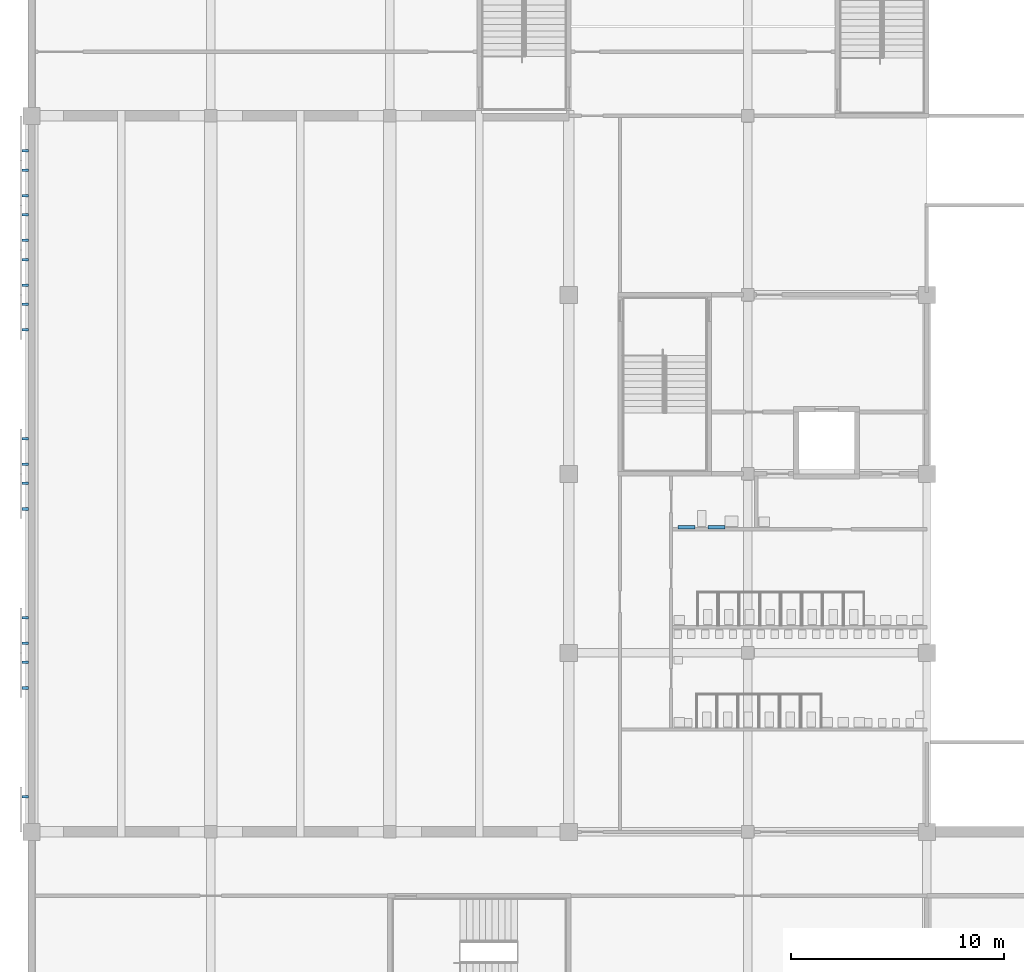
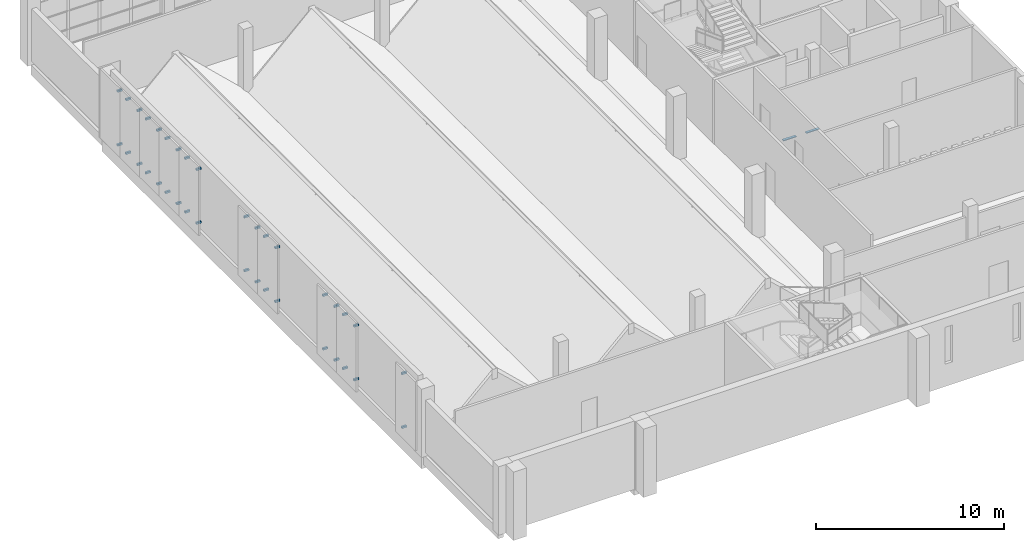
# One storey, part 31 of 56: 38 discrete accessories.
"""IFC4 building model written with IfcOpenShell, lengths in metres."""

from ifc_helpers import new_model, si_unit, direction, frame, origin, origin_2d, place, context, subcontext, project, spatial, rectangle, extrude, material, type_object, element, save


model = new_model("IFC4")

# Units and contexts
model_context = context("Model", 3, precision=1e-05, world=origin(), true_north=direction((0.0, 1.0)))
body_context = subcontext(model_context, "Body", "Model", "MODEL_VIEW")
ifc_project = project(units=[si_unit("LENGTHUNIT", "METRE"), si_unit("AREAUNIT", "SQUARE_METRE"), si_unit("VOLUMEUNIT", "CUBIC_METRE"), si_unit("PLANEANGLEUNIT", "RADIAN"), si_unit("MASSUNIT", "GRAM", prefix="KILO")], contexts=[model_context])

# Site, building, storey
site_placement = place(None, origin())
site = spatial("IfcSite", under=ifc_project, at=site_placement, CompositionType="ELEMENT")
building_placement = place(site_placement, origin())
building = spatial("IfcBuilding", under=site, at=building_placement, Name="Rulbaag Community and Learning Centre", CompositionType="ELEMENT")
storey_placement = place(building_placement, frame((0.0, 0.0, 9.89990234375)))
storey = spatial("IfcBuildingStorey", under=building, at=storey_placement, Name="L02", CompositionType="ELEMENT", Elevation=9.89990234375)

# Discrete accessories
ifc_material_1 = material(Name="Steel E350", Category="steel")
discrete_accessory_type_1 = type_object("IfcDiscreteAccessoryType", Name="BR-JS", PredefinedType="BRACKET", material=ifc_material_1)
for number, where, z_axis, x_axis, name in (
    (1, (-0.300048828125, 10.050048828125, 0.43994140625), (0.0, 0.0, 1.0), (1.0, 0.0, 0.0), "Screen bracket"),
    (2, (-0.300048828125, 10.050048828125, 3.93994140625), (0.0, 0.0, 1.0), (1.0, 0.0, 0.0), "Screen bracket"),
    (3, (-0.300048828125, 15.14990234375, 0.43994140625), (0.0, 0.0, 1.0), (1.0, 0.0, 0.0), "Screen bracket"),
    (4, (-0.300048828125, 15.14990234375, 3.93994140625), (0.0, 0.0, 1.0), (1.0, 0.0, 0.0), "Screen bracket"),
    (5, (-0.300048828125, 16.35009765625, 0.43994140625), (0.0, 0.0, 1.0), (1.0, 0.0, 0.0), "Screen bracket"),
    (6, (-0.300048828125, 16.35009765625, 3.93994140625), (0.0, 0.0, 1.0), (1.0, 0.0, 0.0), "Screen bracket"),
    (7, (-0.300048828125, 17.25, 0.43994140625), (0.0, 0.0, 1.0), (1.0, 0.0, 0.0), "Screen bracket"),
    (8, (-0.300048828125, 17.25, 3.93994140625), (0.0, 0.0, 1.0), (1.0, 0.0, 0.0), "Screen bracket"),
    (9, (-0.300048828125, 18.449951171875, 0.43994140625), (0.0, 0.0, 1.0), (1.0, 0.0, 0.0), "Screen bracket"),
    (10, (-0.300048828125, 18.449951171875, 3.93994140625), (0.0, 0.0, 1.0), (1.0, 0.0, 0.0), "Screen bracket"),
    (11, (-0.300048828125, 23.550048828125, 0.43994140625), (0.0, 0.0, 1.0), (1.0, 0.0, 0.0), "Screen bracket"),
    (12, (-0.300048828125, 23.550048828125, 3.93994140625), (0.0, 0.0, 1.0), (1.0, 0.0, 0.0), "Screen bracket"),
    (13, (-0.300048828125, 24.75, 0.43994140625), (0.0, 0.0, 1.0), (1.0, 0.0, 0.0), "Screen bracket"),
    (14, (-0.300048828125, 24.75, 3.93994140625), (0.0, 0.0, 1.0), (1.0, 0.0, 0.0), "Screen bracket"),
    (15, (-0.300048828125, 25.64990234375, 0.43994140625), (0.0, 0.0, 1.0), (1.0, 0.0, 0.0), "Screen bracket"),
    (16, (-0.300048828125, 25.64990234375, 3.93994140625), (0.0, 0.0, 1.0), (1.0, 0.0, 0.0), "Screen bracket"),
    (17, (-0.300048828125, 26.85009765625, 0.43994140625), (0.0, 0.0, 1.0), (1.0, 0.0, 0.0), "Screen bracket"),
    (18, (-0.300048828125, 26.85009765625, 3.93994140625), (0.0, 0.0, 1.0), (1.0, 0.0, 0.0), "Screen bracket"),
    (19, (-0.300048828125, 31.949951171875, 0.43994140625), (0.0, 0.0, 1.0), (1.0, 0.0, 0.0), "Screen bracket"),
    (20, (-0.300048828125, 31.949951171875, 3.93994140625), (0.0, 0.0, 1.0), (1.0, 0.0, 0.0), "Screen bracket"),
    (21, (-0.300048828125, 33.14990234375, 0.43994140625), (0.0, 0.0, 1.0), (1.0, 0.0, 0.0), "Screen bracket"),
    (22, (-0.300048828125, 33.14990234375, 3.93994140625), (0.0, 0.0, 1.0), (1.0, 0.0, 0.0), "Screen bracket"),
    (23, (-0.300048828125, 34.050048828125, 0.43994140625), (0.0, 0.0, 1.0), (1.0, 0.0, 0.0), "Screen bracket"),
    (24, (-0.300048828125, 34.050048828125, 3.93994140625), (0.0, 0.0, 1.0), (1.0, 0.0, 0.0), "Screen bracket"),
    (25, (-0.300048828125, 35.25, 0.43994140625), (0.0, 0.0, 1.0), (1.0, 0.0, 0.0), "Screen bracket"),
    (26, (-0.300048828125, 35.25, 3.93994140625), (0.0, 0.0, 1.0), (1.0, 0.0, 0.0), "Screen bracket"),
    (27, (-0.300048828125, 36.14990234375, 0.43994140625), (0.0, 0.0, 1.0), (1.0, 0.0, 0.0), "Screen bracket"),
    (28, (-0.300048828125, 36.14990234375, 3.93994140625), (0.0, 0.0, 1.0), (1.0, 0.0, 0.0), "Screen bracket"),
    (29, (-0.300048828125, 37.35009765625, 0.43994140625), (0.0, 0.0, 1.0), (1.0, 0.0, 0.0), "Screen bracket"),
    (30, (-0.300048828125, 37.35009765625, 3.93994140625), (0.0, 0.0, 1.0), (1.0, 0.0, 0.0), "Screen bracket"),
    (31, (-0.300048828125, 38.25, 0.43994140625), (0.0, 0.0, 1.0), (1.0, 0.0, 0.0), "Screen bracket"),
    (32, (-0.300048828125, 38.25, 3.93994140625), (0.0, 0.0, 1.0), (1.0, 0.0, 0.0), "Screen bracket"),
    (33, (-0.300048828125, 39.449951171875, 0.43994140625), (0.0, 0.0, 1.0), (1.0, 0.0, 0.0), "Screen bracket"),
    (34, (-0.300048828125, 39.449951171875, 3.93994140625), (0.0, 0.0, 1.0), (1.0, 0.0, 0.0), "Screen bracket"),
    (35, (-0.300048828125, 40.35009765625, 0.43994140625), (0.0, 0.0, 1.0), (1.0, 0.0, 0.0), "Screen bracket"),
    (36, (-0.300048828125, 40.35009765625, 3.93994140625), (0.0, 0.0, 1.0), (1.0, 0.0, 0.0), "Screen bracket"),
):
    element("IfcDiscreteAccessory", number, at=place(storey_placement, frame(where, z_axis=z_axis, x_axis=x_axis)), inside=storey, type_object=discrete_accessory_type_1, Name=name, PredefinedType="BRACKET", context=body_context, shape_type="SweptSolid", body=[
        extrude(rectangle(XDim=0.300048828125, YDim=0.1201171875, at=origin_2d()), origin(), (0.0, 0.0, 1.0), 0.1201171875),
    ])
ifc_material_2 = material(Name="Stainless steel grade 316", Category="steel")
discrete_accessory_type_2 = type_object("IfcDiscreteAccessoryType", Name="GR-800", PredefinedType="USERDEFINED", material=ifc_material_2)
for number, where, z_axis, x_axis, name in (
    (37, (30.72998046875, 22.68505859375, 0.72998046875), (0.0, 0.0, 1.0), (1.0, 0.0, 0.0), "Grab rail"),
    (38, (32.1298828125, 22.68505859375, 0.72998046875), (0.0, 0.0, 1.0), (1.0, 0.0, 0.0), "Grab rail"),
):
    element("IfcDiscreteAccessory", number, at=place(storey_placement, frame(where, z_axis=z_axis, x_axis=x_axis)), inside=storey, type_object=discrete_accessory_type_2, Name=name, ObjectType="GRAB RAIL", PredefinedType="USERDEFINED", context=body_context, shape_type="SweptSolid", body=[
        extrude(rectangle(XDim=0.800048828125, YDim=0.169921875, at=origin_2d()), origin(), (0.0, 0.0, 1.0), 0.0400390625),
    ])

save(model, "model.ifc")
